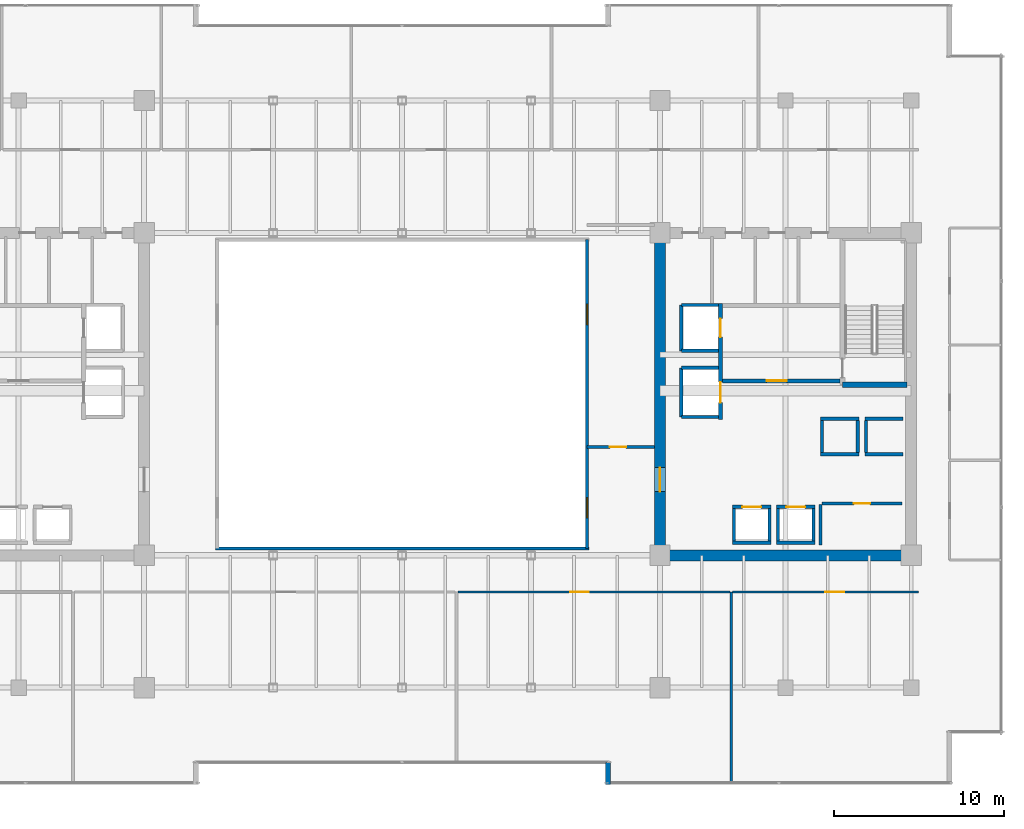
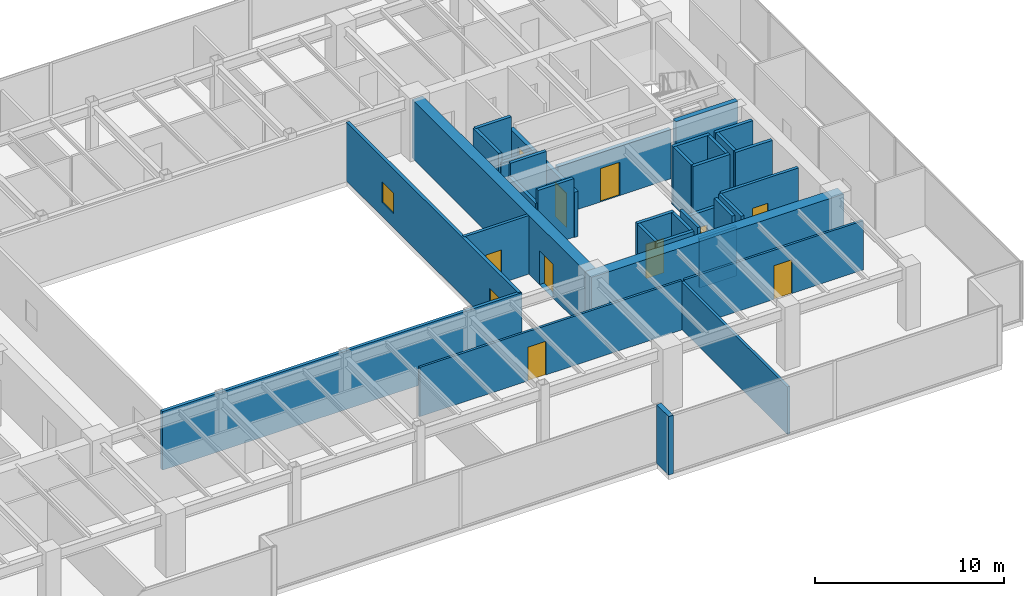
# One storey, part 26 of 30: 35 walls, 10 doors, 2 windows, 12 openings.
"""IFC4 building model written with IfcOpenShell, lengths in metres."""

from ifc_helpers import new_model, si_unit, direction, frame, frame_2d, origin, place, context, subcontext, project, spatial, rectangle, extrude, source, transform, mapped, material, layer, layer_set, type_object, type_shapes, element, fill, save


model = new_model("IFC4")

# Units and contexts
model_context = context("Model", 3, precision=1e-05, world=origin(), true_north=direction((0.0, 1.0)))
body_context = subcontext(model_context, "Body", "Model", "MODEL_VIEW")
ifc_project = project(units=[si_unit("LENGTHUNIT", "METRE"), si_unit("AREAUNIT", "SQUARE_METRE"), si_unit("VOLUMEUNIT", "CUBIC_METRE"), si_unit("PLANEANGLEUNIT", "RADIAN"), si_unit("MASSUNIT", "GRAM", prefix="KILO")], contexts=[model_context])

# Site, building, storey
site_placement = place(None, origin())
site = spatial("IfcSite", under=ifc_project, at=site_placement, CompositionType="ELEMENT")
building_placement = place(site_placement, origin())
building = spatial("IfcBuilding", under=site, at=building_placement, Name="Haelvirn Gate Laboratories", CompositionType="ELEMENT")
storey_placement = place(building_placement, frame((0.0, 0.0, 170.699951171875)))
storey = spatial("IfcBuildingStorey", under=building, at=storey_placement, Name="L41", CompositionType="ELEMENT", Elevation=170.699951171875)

# Walls
ifc_material_1 = material(Name="Thermally-broken bronze aluminium rainscreen & mineral wool", Category="aluminium")
ifc_layer_1 = layer(ifc_material_1, 0.280029296875, Name="EW-TERR-280")
ifc_layer_set_1 = layer_set([ifc_layer_1], Name="Thermally-broken bronze aluminium rainscreen & mineral wool")
wall_type_1 = type_object("IfcWallType", Name="EW-TERR-280", PredefinedType="STANDARD", material=ifc_layer_set_1)
wall_1_placement = place(storey_placement, frame((49.5400390625, 2.587890625, 0.0), z_axis=(0.0, 0.0, 1.0), x_axis=(0.0, -1.0, 0.0)))
element("IfcWall", 1, at=wall_1_placement, inside=storey, type_object=wall_type_1, Name="L41 Atrium Recess Bronze Return Wall 03", PredefinedType="STANDARD", context=body_context, shape_type="SweptSolid", body=[
    extrude(rectangle(XDim=1.287841796875, YDim=0.280029296875, at=frame_2d((0.64404296875, 0.0))), origin(), (0.0, 0.0, 1.0), 3.7900390625),
])
ifc_material_2 = material(Name="Double-layer acoustic gypsum laboratory partition", Category="gypsum")
ifc_layer_2 = layer(ifc_material_2, 0.159912109375, Name="IW-ACOUST-160")
ifc_layer_set_2 = layer_set([ifc_layer_2], Name="Double-layer acoustic gypsum laboratory partition")
wall_type_2 = type_object("IfcWallType", Name="IW-ACOUST-160", PredefinedType="PARTITIONING", material=ifc_layer_set_2)
wall_2_placement = place(storey_placement, frame((56.800048828125, 1.409912109375, 0.0), z_axis=(0.0, 0.0, 1.0), x_axis=(0.0, 1.0, 0.0)))
element("IfcWall", 2, at=wall_2_placement, inside=storey, type_object=wall_type_2, Name="L41 Interior Wall IW-L41-SDIV-03", PredefinedType="PARTITIONING", context=body_context, shape_type="SweptSolid", body=[
    extrude(rectangle(XDim=11.22998046875, YDim=0.159912109375, at=frame_2d((5.614990234375, 0.0))), origin(), (0.0, 0.0, 1.0), 3.074951171875),
])

# Wall, opening, door
ifc_material_3 = material(Name="Fire-rated acoustic gypsum board partition", Category="gypsum")
ifc_layer_3 = layer(ifc_material_3, 0.175048828125, Name="IW-ACOUST-180")
ifc_layer_set_3 = layer_set([ifc_layer_3], Name="Fire-rated acoustic gypsum board partition")
wall_type_3 = type_object("IfcWallType", Name="IW-ACOUST-180", PredefinedType="PARTITIONING", material=ifc_layer_set_3)
wall_3_placement = place(storey_placement, frame((48.300048828125, 21.179931640625, 0.0), z_axis=(0.0, 0.0, 1.0), x_axis=(1.0, 0.0, 0.0)))
wall_3 = element("IfcWall", 3, at=wall_3_placement, inside=storey, type_object=wall_type_3, Name="L41 Interior Wall IW-L41-ASEM-S", PredefinedType="PARTITIONING", context=body_context, shape_type="SweptSolid", body=[
    extrude(rectangle(XDim=3.974853515625, YDim=0.175048828125, at=frame_2d((1.9873046875, 0.0))), origin(), (0.0, 0.0, 1.0), 3.7900390625),
])
opening_1_placement = place(wall_3_placement, frame((1.35009765625, 0.0, 0.0)))
opening_1 = element("IfcOpeningElement", 4, at=opening_1_placement, cuts=wall_3, Name="Opening FD4", PredefinedType="OPENING", context=body_context, shape_type="SweptSolid", body=[
    extrude(rectangle(XDim=0.949951171875, YDim=2.14990234375, at=frame_2d((0.47509765625, 1.074951171875))), frame((0.0, 0.09765625, 0.0), z_axis=(0.0, -1.0, 0.0), x_axis=(1.0, 0.0, 0.0)), (0.0, 0.0, 1.0), 0.195068359375),
])
ifc_material_4 = material(Name="Fire-rated steel SM355 core service door", Category="steel")
door_type_1 = type_object("IfcDoorType", Name="DR-FD-950", OperationType="NOTDEFINED", PredefinedType="DOOR", material=ifc_material_4)
shared_shape_1 = source(origin(), body_context, "Body", "SweptSolid", [
    extrude(rectangle(XDim=0.949951171875, YDim=2.14990234375, at=frame_2d((0.47509765625, 1.074951171875))), frame((0.0, 0.02490234375, 0.0), z_axis=(0.0, -1.0, 0.0), x_axis=(1.0, 0.0, 0.0)), (0.0, 0.0, 1.0), 0.050048828125),
])
type_shapes(door_type_1, [shared_shape_1])
door_1_placement = place(opening_1_placement, origin())
door_1 = element("IfcDoor", 5, at=door_1_placement, inside=storey, type_object=door_type_1, Name="L41 Atrium Bioinformatics Suite Door", OperationType="SINGLE_SWING_LEFT", OverallHeight=2.14990234375, OverallWidth=0.949951171875, PredefinedType="DOOR", context=body_context, shape_type="MappedRepresentation", body=[
    mapped(shared_shape_1, transform((0.0, 0.0, 0.0), scale=1.0)),
])
fill(opening_1, door_1)

# Wall, openings, windows
ifc_material_5 = material(Name="Tempered fire-rated borosilicate glass & anodised aluminium", Category="aluminium")
ifc_layer_4 = layer(ifc_material_5, 0.195068359375, Name="IW-GLAZ-200")
ifc_layer_set_4 = layer_set([ifc_layer_4], Name="Tempered fire-rated borosilicate glass & anodised aluminium")
wall_type_4 = type_object("IfcWallType", Name="IW-GLAZ-200", PredefinedType="SOLIDWALL", material=ifc_layer_set_4)
wall_4_placement = place(storey_placement, frame((48.300048828125, 15.199951171875, 0.0), z_axis=(0.0, 0.0, 1.0), x_axis=(0.0, 1.0, 0.0)))
wall_4 = element("IfcWall", 6, at=wall_4_placement, inside=storey, type_object=wall_type_4, Name="L41 Interior Wall IW-L41-ATRIUM-E", PredefinedType="SOLIDWALL", context=body_context, shape_type="SweptSolid", body=[
    extrude(rectangle(XDim=18.199951171875, YDim=0.195068359375, at=frame_2d((9.10009765625, 0.0))), origin(), (0.0, 0.0, 1.0), 3.7900390625),
])
opening_2_placement = place(wall_4_placement, frame((1.800048828125, 0.0, 0.89990234375)))
opening_2 = element("IfcOpeningElement", 7, at=opening_2_placement, cuts=wall_4, Name="Opening W6", PredefinedType="OPENING", context=body_context, shape_type="SweptSolid", body=[
    extrude(rectangle(XDim=1.199951171875, YDim=1.35009765625, at=frame_2d((0.60009765625, 0.675048828125))), frame((0.0, 0.107421875, 0.0), z_axis=(0.0, -1.0, 0.0), x_axis=(1.0, 0.0, 0.0)), (0.0, 0.0, 1.0), 0.215087890625),
])
opening_3_placement = place(wall_4_placement, frame((13.199951171875, 0.0, 0.89990234375)))
opening_3 = element("IfcOpeningElement", 8, at=opening_3_placement, cuts=wall_4, Name="Opening W6", PredefinedType="OPENING", context=body_context, shape_type="SweptSolid", body=[
    extrude(rectangle(XDim=1.199951171875, YDim=1.35009765625, at=frame_2d((0.60009765625, 0.675048828125))), frame((0.0, 0.107421875, 0.0), z_axis=(0.0, -1.0, 0.0), x_axis=(1.0, 0.0, 0.0)), (0.0, 0.0, 1.0), 0.215087890625),
])
ifc_material_6 = material(Name="Fire-rated EI 120 borosilicate atrium vision glazing", Category="glass")
window_type = type_object("IfcWindowType", Name="WN-ATR-1200", PartitioningType="SINGLE_PANEL", PredefinedType="WINDOW", material=ifc_material_6)
shared_shape_2 = source(origin(), body_context, "Body", "SweptSolid", [
    extrude(rectangle(XDim=1.199951171875, YDim=1.35009765625, at=frame_2d((0.60009765625, 0.675048828125))), frame((0.0, 0.030029296875, 0.0), z_axis=(0.0, -1.0, 0.0), x_axis=(1.0, 0.0, 0.0)), (0.0, 0.0, 1.0), 0.06005859375),
])
type_shapes(window_type, [shared_shape_2])
window_1_placement = place(opening_2_placement, origin())
window_1 = element("IfcWindow", 9, at=window_1_placement, inside=storey, type_object=window_type, Name="L41 Atrium Observation Window 1", OverallHeight=1.35009765625, OverallWidth=1.199951171875, PartitioningType="SINGLE_PANEL", PredefinedType="WINDOW", context=body_context, shape_type="MappedRepresentation", body=[
    mapped(shared_shape_2, transform((0.0, 0.0, 0.0), scale=1.0)),
])
fill(opening_2, window_1)
window_2_placement = place(opening_3_placement, origin())
window_2 = element("IfcWindow", 10, at=window_2_placement, inside=storey, type_object=window_type, Name="L41 Atrium Observation Window 2", OverallHeight=1.35009765625, OverallWidth=1.199951171875, PartitioningType="SINGLE_PANEL", PredefinedType="WINDOW", context=body_context, shape_type="MappedRepresentation", body=[
    mapped(shared_shape_2, transform((0.0, 0.0, 0.0), scale=1.0)),
])
fill(opening_3, window_2)

# Wall
wall_5_placement = place(storey_placement, frame((26.39990234375, 15.199951171875, 0.0), z_axis=(0.0, 0.0, 1.0), x_axis=(1.0, 0.0, 0.0)))
element("IfcWall", 11, at=wall_5_placement, inside=storey, type_object=wall_type_4, Name="L41 Interior Wall IW-L41-ATRIUM-S", PredefinedType="SOLIDWALL", context=body_context, shape_type="SweptSolid", body=[
    extrude(rectangle(XDim=22.0, YDim=0.195068359375, at=frame_2d((11.0, 0.0))), origin(), (0.0, 0.0, 1.0), 3.7900390625),
])

# Wall, opening, door
ifc_material_7 = material(Name="Acoustic mineral-wool gypsum board partition", Category="gypsum")
ifc_layer_5 = layer(ifc_material_7, 0.139892578125, Name="IW-PART-140")
ifc_layer_set_5 = layer_set([ifc_layer_5], Name="Acoustic mineral-wool gypsum board partition")
wall_type_5 = type_object("IfcWallType", Name="IW-PART-140", PredefinedType="PARTITIONING", material=ifc_layer_set_5)
wall_6_placement = place(storey_placement, frame((40.679931640625, 12.639892578125, 0.0), z_axis=(0.0, 0.0, 1.0), x_axis=(1.0, 0.0, 0.0)))
wall_6 = element("IfcWall", 12, at=wall_6_placement, inside=storey, type_object=wall_type_5, Name="L41 Interior Wall IW-L41-SCORR-03", PredefinedType="PARTITIONING", context=body_context, shape_type="SweptSolid", body=[
    extrude(rectangle(XDim=16.0400390625, YDim=0.139892578125, at=frame_2d((8.02001953125, 0.0))), origin(), (0.0, 0.0, 1.0), 3.18701171875),
])
opening_4_placement = place(wall_6_placement, frame((6.615478515625, 0.0, 0.0)))
opening_4 = element("IfcOpeningElement", 13, at=opening_4_placement, cuts=wall_6, Name="Opening D1", PredefinedType="OPENING", context=body_context, shape_type="SweptSolid", body=[
    extrude(rectangle(XDim=1.10009765625, YDim=2.179931640625, at=frame_2d((0.550048828125, 1.08984375))), frame((0.0, 0.080078125, 0.0), z_axis=(0.0, -1.0, 0.0), x_axis=(1.0, 0.0, 0.0)), (0.0, 0.0, 1.0), 0.159912109375),
])
ifc_material_8 = material(Name="Vision-panel acoustic solid-core timber lab door", Category="wood")
door_type_2 = type_object("IfcDoorType", Name="DR-LAB-1100", OperationType="NOTDEFINED", PredefinedType="DOOR", material=ifc_material_8)
shared_shape_3 = source(origin(), body_context, "Body", "SweptSolid", [
    extrude(rectangle(XDim=1.10009765625, YDim=2.179931640625, at=frame_2d((0.550048828125, 1.08984375))), frame((0.0, 0.02490234375, 0.0), z_axis=(0.0, -1.0, 0.0), x_axis=(1.0, 0.0, 0.0)), (0.0, 0.0, 1.0), 0.050048828125),
])
type_shapes(door_type_2, [shared_shape_3])
door_2_placement = place(opening_4_placement, origin())
door_2 = element("IfcDoor", 14, at=door_2_placement, inside=storey, type_object=door_type_2, Name="L41 Bioinformatics Dry-Lab Workspace Door S3", OperationType="SINGLE_SWING_RIGHT", OverallHeight=2.179931640625, OverallWidth=1.10009765625, PredefinedType="DOOR", context=body_context, shape_type="MappedRepresentation", body=[
    mapped(shared_shape_3, transform((0.0, 0.0, 0.0), scale=1.0)),
])
fill(opening_4, door_2)

wall_7_placement = place(storey_placement, frame((56.8798828125, 12.639892578125, 0.0), z_axis=(0.0, 0.0, 1.0), x_axis=(1.0, 0.0, 0.0)))
wall_7 = element("IfcWall", 15, at=wall_7_placement, inside=storey, type_object=wall_type_5, Name="L41 Interior Wall IW-L41-SCORR-04", PredefinedType="PARTITIONING", context=body_context, shape_type="SweptSolid", body=[
    extrude(rectangle(XDim=10.940185546875, YDim=0.139892578125, at=frame_2d((5.47021484375, 0.0))), origin(), (0.0, 0.0, 1.0), 3.18701171875),
])
opening_5_placement = place(wall_7_placement, frame((5.468505859375, 0.0, 0.0)))
opening_5 = element("IfcOpeningElement", 16, at=opening_5_placement, cuts=wall_7, Name="Opening D1", PredefinedType="OPENING", context=body_context, shape_type="SweptSolid", body=[
    extrude(rectangle(XDim=1.10009765625, YDim=2.179931640625, at=frame_2d((0.550048828125, 1.08984375))), frame((0.0, 0.080078125, 0.0), z_axis=(0.0, -1.0, 0.0), x_axis=(1.0, 0.0, 0.0)), (0.0, 0.0, 1.0), 0.159912109375),
])
door_3_placement = place(opening_5_placement, origin())
door_3 = element("IfcDoor", 17, at=door_3_placement, inside=storey, type_object=door_type_2, Name="L41 Translational Data Office Door S4", OperationType="SINGLE_SWING_LEFT", OverallHeight=2.179931640625, OverallWidth=1.10009765625, PredefinedType="DOOR", context=body_context, shape_type="MappedRepresentation", body=[
    mapped(shared_shape_3, transform((0.0, 0.0, 0.0), scale=1.0)),
])
fill(opening_5, door_3)

# Walls
ifc_material_9 = material(Name="Concrete C40/50", Category="concrete")
ifc_layer_6 = layer(ifc_material_9, 0.179931640625, Name="IW-SHAFT-180")
ifc_layer_set_6 = layer_set([ifc_layer_6], Name="Concrete C40/50")
wall_type_6 = type_object("IfcWallType", Name="IW-SHAFT-180", PredefinedType="SOLIDWALL", material=ifc_layer_set_6)
for number, where, z_axis, x_axis, name in (
    (18, (59.550048828125, 15.64990234375, 0.0), (0.0, 0.0, 1.0), (0.0, 1.0, 0.0), "L41 Interior Wall IW-L41-PL7-SD"),
    (19, (61.64990234375, 15.64990234375, 0.0), (0.0, 0.0, 1.0), (0.0, 1.0, 0.0), "L41 Interior Wall IW-L41-PL7-SDE"),
    (20, (56.949951171875, 15.64990234375, 0.0), (0.0, 0.0, 1.0), (0.0, 1.0, 0.0), "L41 Interior Wall IW-L41-PL8-SD"),
    (21, (59.050048828125, 15.64990234375, 0.0), (0.0, 0.0, 1.0), (0.0, 1.0, 0.0), "L41 Interior Wall IW-L41-PL8-SDE"),
):
    element("IfcWall", number, at=place(storey_placement, frame(where, z_axis=z_axis, x_axis=x_axis)), inside=storey, type_object=wall_type_6, Name=name, PredefinedType="SOLIDWALL", context=body_context, shape_type="SweptSolid", body=[
        extrude(rectangle(XDim=1.900146484375, YDim=0.179931640625, at=frame_2d((0.9501953125, 0.0))), origin(), (0.0, 0.0, 1.0), 3.7900390625),
    ])
for number, where, z_axis, x_axis, name in (
    (22, (64.75, 20.85009765625, 0.0), (0.0, 0.0, 1.0), (0.0, 1.0, 0.0), "L41 Interior Wall IW-L41-PL11-SD"),
    (23, (62.14990234375, 20.85009765625, 0.0), (0.0, 0.0, 1.0), (0.0, 1.0, 0.0), "L41 Interior Wall IW-L41-PL12-SD"),
    (24, (64.25, 20.85009765625, 0.0), (0.0, 0.0, 1.0), (0.0, 1.0, 0.0), "L41 Interior Wall IW-L41-PL12-SDE"),
):
    element("IfcWall", number, at=place(storey_placement, frame(where, z_axis=z_axis, x_axis=x_axis)), inside=storey, type_object=wall_type_6, Name=name, PredefinedType="SOLIDWALL", context=body_context, shape_type="SweptSolid", body=[
        extrude(rectangle(XDim=1.89990234375, YDim=0.179931640625, at=frame_2d((0.949951171875, 0.0))), origin(), (0.0, 0.0, 1.0), 3.7900390625),
    ])

# Wall, opening, door
wall_8_placement = place(storey_placement, frame((62.14990234375, 17.85009765625, 0.0), z_axis=(0.0, 0.0, 1.0), x_axis=(1.0, 0.0, 0.0)))
wall_8 = element("IfcWall", 25, at=wall_8_placement, inside=storey, type_object=wall_type_6, Name="L41 Interior Wall IW-L41-E-FREED-LN-1", PredefinedType="SOLIDWALL", context=body_context, shape_type="SweptSolid", body=[
    extrude(rectangle(XDim=4.7001953125, YDim=0.179931640625, at=frame_2d((2.35009765625, 0.0))), origin(), (0.0, 0.0, 1.0), 3.7900390625),
])
opening_6_placement = place(wall_8_placement, frame((1.875, 0.0, 0.0)))
opening_6 = element("IfcOpeningElement", 26, at=opening_6_placement, cuts=wall_8, Name="Opening FD4", PredefinedType="OPENING", context=body_context, shape_type="SweptSolid", body=[
    extrude(rectangle(XDim=0.949951171875, YDim=2.14990234375, at=frame_2d((0.47509765625, 1.074951171875))), frame((0.0, 0.10009765625, 0.0), z_axis=(0.0, -1.0, 0.0), x_axis=(1.0, 0.0, 0.0)), (0.0, 0.0, 1.0), 0.199951171875),
])
door_4_placement = place(opening_6_placement, origin())
door_4 = element("IfcDoor", 27, at=door_4_placement, inside=storey, type_object=door_type_1, Name="L41 Autoclave & Glasswash Room Door", OperationType="SINGLE_SWING_LEFT", OverallHeight=2.14990234375, OverallWidth=0.949951171875, PredefinedType="DOOR", context=body_context, shape_type="MappedRepresentation", body=[
    mapped(shared_shape_1, transform((0.0, 0.0, 0.0), scale=1.0)),
])
fill(opening_6, door_4)

# Wall
wall_9_placement = place(storey_placement, frame((62.06005859375, 15.39990234375, 0.0), z_axis=(0.0, 0.0, 1.0), x_axis=(0.0, 1.0, 0.0)))
element("IfcWall", 28, at=wall_9_placement, inside=storey, type_object=wall_type_6, Name="L41 Interior Wall IW-L41-E-FREED-LE-1", PredefinedType="SOLIDWALL", context=body_context, shape_type="SweptSolid", body=[
    extrude(rectangle(XDim=2.400146484375, YDim=0.179931640625, at=frame_2d((1.2001953125, 0.0))), origin(), (0.0, 0.0, 1.0), 3.7900390625),
])

# Wall, opening, door
ifc_layer_7 = layer(ifc_material_9, 0.199951171875, Name="IW-SHAFT-200")
ifc_layer_set_7 = layer_set([ifc_layer_7], Name="Concrete C40/50")
wall_type_7 = type_object("IfcWallType", Name="IW-SHAFT-200", PredefinedType="SOLIDWALL", material=ifc_layer_set_7)
wall_10_placement = place(storey_placement, frame((59.469970703125, 17.64990234375, 0.0), z_axis=(0.0, 0.0, 1.0), x_axis=(1.0, 0.0, 0.0)))
wall_10 = element("IfcWall", 29, at=wall_10_placement, inside=storey, type_object=wall_type_7, Name="L41 Interior Wall IW-L41-PL7-FR", PredefinedType="SOLIDWALL", context=body_context, shape_type="SweptSolid", body=[
    extrude(rectangle(XDim=2.260009765625, YDim=0.199951171875, at=frame_2d((1.1298828125, 0.0))), origin(), (0.0, 0.0, 1.0), 3.18701171875),
])
opening_7_placement = place(wall_10_placement, frame((0.580078125, 0.0, 0.0)))
opening_7 = element("IfcOpeningElement", 30, at=opening_7_placement, cuts=wall_10, Name="Opening LD2", PredefinedType="OPENING", context=body_context, shape_type="SweptSolid", body=[
    extrude(rectangle(XDim=1.10009765625, YDim=2.219970703125, at=frame_2d((0.550048828125, 1.10986328125))), frame((0.0, 0.10986328125, 0.0), z_axis=(0.0, -1.0, 0.0), x_axis=(1.0, 0.0, 0.0)), (0.0, 0.0, 1.0), 0.219970703125),
])
ifc_material_10 = material(Name="Bronze stainless 316L sliding lift landing door")
door_type_3 = type_object("IfcDoorType", Name="DR-LD-1100", OperationType="NOTDEFINED", PredefinedType="USERDEFINED", material=ifc_material_10)
shared_shape_4 = source(origin(), body_context, "Body", "SweptSolid", [
    extrude(rectangle(XDim=1.10009765625, YDim=2.219970703125, at=frame_2d((0.550048828125, 1.10986328125))), frame((0.0, 0.02490234375, 0.0), z_axis=(0.0, -1.0, 0.0), x_axis=(1.0, 0.0, 0.0)), (0.0, 0.0, 1.0), 0.050048828125),
])
type_shapes(door_type_3, [shared_shape_4])
door_5_placement = place(opening_7_placement, origin())
door_5 = element("IfcDoor", 31, at=door_5_placement, inside=storey, type_object=door_type_3, Name="L41 Passenger Lift PL7 Landing Door", ObjectType="LANDING_DOOR", OperationType="SLIDING_TO_LEFT", OverallHeight=2.219970703125, OverallWidth=1.10009765625, PredefinedType="USERDEFINED", context=body_context, shape_type="MappedRepresentation", body=[
    mapped(shared_shape_4, transform((0.0, 0.0, 0.0), scale=1.0)),
])
fill(opening_7, door_5)

# Wall
wall_11_placement = place(storey_placement, frame((59.469970703125, 15.550048828125, 0.0), z_axis=(0.0, 0.0, 1.0), x_axis=(1.0, 0.0, 0.0)))
element("IfcWall", 32, at=wall_11_placement, inside=storey, type_object=wall_type_7, Name="L41 Interior Wall IW-L41-PL7-BK", PredefinedType="SOLIDWALL", context=body_context, shape_type="SweptSolid", body=[
    extrude(rectangle(XDim=2.260009765625, YDim=0.199951171875, at=frame_2d((1.1298828125, 0.0))), origin(), (0.0, 0.0, 1.0), 3.18701171875),
])

# Wall, opening, door
wall_12_placement = place(storey_placement, frame((56.8701171875, 17.64990234375, 0.0), z_axis=(0.0, 0.0, 1.0), x_axis=(1.0, 0.0, 0.0)))
wall_12 = element("IfcWall", 33, at=wall_12_placement, inside=storey, type_object=wall_type_7, Name="L41 Interior Wall IW-L41-PL8-FR", PredefinedType="SOLIDWALL", context=body_context, shape_type="SweptSolid", body=[
    extrude(rectangle(XDim=2.259765625, YDim=0.199951171875, at=frame_2d((1.1298828125, 0.0))), origin(), (0.0, 0.0, 1.0), 3.7900390625),
])
opening_8_placement = place(wall_12_placement, frame((0.580078125, 0.0, 0.0)))
opening_8 = element("IfcOpeningElement", 34, at=opening_8_placement, cuts=wall_12, Name="Opening LD2", PredefinedType="OPENING", context=body_context, shape_type="SweptSolid", body=[
    extrude(rectangle(XDim=1.10009765625, YDim=2.219970703125, at=frame_2d((0.550048828125, 1.10986328125))), frame((0.0, 0.10986328125, 0.0), z_axis=(0.0, -1.0, 0.0), x_axis=(1.0, 0.0, 0.0)), (0.0, 0.0, 1.0), 0.219970703125),
])
door_6_placement = place(opening_8_placement, origin())
door_6 = element("IfcDoor", 35, at=door_6_placement, inside=storey, type_object=door_type_3, Name="L41 Passenger Lift PL8 Landing Door", ObjectType="LANDING_DOOR", OperationType="SLIDING_TO_RIGHT", OverallHeight=2.219970703125, OverallWidth=1.10009765625, PredefinedType="USERDEFINED", context=body_context, shape_type="MappedRepresentation", body=[
    mapped(shared_shape_4, transform((0.0, 0.0, 0.0), scale=1.0)),
])
fill(opening_8, door_6)

# Walls
wall_13_placement = place(storey_placement, frame((56.8701171875, 15.550048828125, 0.0), z_axis=(0.0, 0.0, 1.0), x_axis=(1.0, 0.0, 0.0)))
element("IfcWall", 36, at=wall_13_placement, inside=storey, type_object=wall_type_7, Name="L41 Interior Wall IW-L41-PL8-BK", PredefinedType="SOLIDWALL", context=body_context, shape_type="SweptSolid", body=[
    extrude(rectangle(XDim=2.259765625, YDim=0.199951171875, at=frame_2d((1.1298828125, 0.0))), origin(), (0.0, 0.0, 1.0), 3.7900390625),
])
for number, where, z_axis, x_axis, name in (
    (37, (64.669921875, 20.75, 0.0), (0.0, 0.0, 1.0), (1.0, 0.0, 0.0), "L41 Interior Wall IW-L41-PL11-FR"),
    (38, (64.669921875, 22.85009765625, 0.0), (0.0, 0.0, 1.0), (1.0, 0.0, 0.0), "L41 Interior Wall IW-L41-PL11-BK"),
    (39, (62.070068359375, 20.75, 0.0), (0.0, 0.0, 1.0), (1.0, 0.0, 0.0), "L41 Interior Wall IW-L41-PL12-FR"),
    (40, (62.070068359375, 22.85009765625, 0.0), (0.0, 0.0, 1.0), (1.0, 0.0, 0.0), "L41 Interior Wall IW-L41-PL12-BK"),
):
    element("IfcWall", number, at=place(storey_placement, frame(where, z_axis=z_axis, x_axis=x_axis)), inside=storey, type_object=wall_type_7, Name=name, PredefinedType="SOLIDWALL", context=body_context, shape_type="SweptSolid", body=[
        extrude(rectangle(XDim=2.260009765625, YDim=0.199951171875, at=frame_2d((1.1298828125, 0.0))), origin(), (0.0, 0.0, 1.0), 3.7900390625),
    ])
wall_14_placement = place(storey_placement, frame((53.85009765625, 26.85009765625, 0.0), z_axis=(0.0, 0.0, 1.0), x_axis=(0.0, 1.0, 0.0)))
element("IfcWall", 41, at=wall_14_placement, inside=storey, type_object=wall_type_7, Name="L41 Interior Wall IW-L41-FL2-BK", PredefinedType="SOLIDWALL", context=body_context, shape_type="SweptSolid", body=[
    extrude(rectangle(XDim=2.699951171875, YDim=0.199951171875, at=frame_2d((1.35009765625, 0.0))), origin(), (0.0, 0.0, 1.0), 3.7900390625),
])
wall_15_placement = place(storey_placement, frame((53.85009765625, 29.550048828125, 0.0), z_axis=(0.0, 0.0, 1.0), x_axis=(1.0, 0.0, 0.0)))
element("IfcWall", 42, at=wall_15_placement, inside=storey, type_object=wall_type_7, Name="L41 Interior Wall IW-L41-FL2-N", PredefinedType="SOLIDWALL", context=body_context, shape_type="SweptSolid", body=[
    extrude(rectangle(XDim=2.18994140625, YDim=0.199951171875, at=frame_2d((1.094970703125, 0.0))), origin(), (0.0, 0.0, 1.0), 3.7900390625),
])
wall_16_placement = place(storey_placement, frame((53.85009765625, 26.85009765625, 0.0), z_axis=(0.0, 0.0, 1.0), x_axis=(1.0, 0.0, 0.0)))
element("IfcWall", 43, at=wall_16_placement, inside=storey, type_object=wall_type_7, Name="L41 Interior Wall IW-L41-FL2-S", PredefinedType="SOLIDWALL", context=body_context, shape_type="SweptSolid", body=[
    extrude(rectangle(XDim=2.18994140625, YDim=0.199951171875, at=frame_2d((1.094970703125, 0.0))), origin(), (0.0, 0.0, 1.0), 3.18701171875),
])
wall_17_placement = place(storey_placement, frame((53.85009765625, 22.949951171875, 0.0), z_axis=(0.0, 0.0, 1.0), x_axis=(0.0, 1.0, 0.0)))
element("IfcWall", 44, at=wall_17_placement, inside=storey, type_object=wall_type_7, Name="L41 Interior Wall IW-L41-SL2-BK", PredefinedType="SOLIDWALL", context=body_context, shape_type="SweptSolid", body=[
    extrude(rectangle(XDim=2.900146484375, YDim=0.199951171875, at=frame_2d((1.4501953125, 0.0))), origin(), (0.0, 0.0, 1.0), 2.925048828125),
])
for number, where, z_axis, x_axis, name in (
    (45, (53.85009765625, 25.85009765625, 0.0), (0.0, 0.0, 1.0), (1.0, 0.0, 0.0), "L41 Interior Wall IW-L41-SL2-N"),
    (46, (53.85009765625, 22.949951171875, 0.0), (0.0, 0.0, 1.0), (1.0, 0.0, 0.0), "L41 Interior Wall IW-L41-SL2-S"),
):
    element("IfcWall", number, at=place(storey_placement, frame(where, z_axis=z_axis, x_axis=x_axis)), inside=storey, type_object=wall_type_7, Name=name, PredefinedType="SOLIDWALL", context=body_context, shape_type="SweptSolid", body=[
        extrude(rectangle(XDim=2.18994140625, YDim=0.199951171875, at=frame_2d((1.094970703125, 0.0))), origin(), (0.0, 0.0, 1.0), 3.7900390625),
    ])

# Wall, opening, door
ifc_layer_8 = layer(ifc_material_9, 0.239990234375, Name="IW-SHAFT-240")
ifc_layer_set_8 = layer_set([ifc_layer_8], Name="Concrete C40/50")
wall_type_8 = type_object("IfcWallType", Name="IW-SHAFT-240", PredefinedType="SOLIDWALL", material=ifc_layer_set_8)
wall_18_placement = place(storey_placement, frame((56.280029296875, 25.080078125, 0.0), z_axis=(0.0, 0.0, 1.0), x_axis=(1.0, 0.0, 0.0)))
wall_18 = element("IfcWall", 47, at=wall_18_placement, inside=storey, type_object=wall_type_8, Name="L41 Interior Wall IW-L41-E-FF-S", PredefinedType="SOLIDWALL", context=body_context, shape_type="SweptSolid", body=[
    extrude(rectangle(XDim=6.919921875, YDim=0.239990234375, at=frame_2d((3.4599609375, 0.0))), origin(), (0.0, 0.0, 1.0), 3.18701171875),
])
opening_9_placement = place(wall_18_placement, frame((2.60009765625, 0.0, 0.0)))
opening_9 = element("IfcOpeningElement", 48, at=opening_9_placement, cuts=wall_18, Name="Opening FD2", PredefinedType="OPENING", context=body_context, shape_type="SweptSolid", body=[
    extrude(rectangle(XDim=1.199951171875, YDim=2.159912109375, at=frame_2d((0.60009765625, 1.080078125))), frame((0.0, 0.1298828125, 0.0), z_axis=(0.0, -1.0, 0.0), x_axis=(1.0, 0.0, 0.0)), (0.0, 0.0, 1.0), 0.260009765625),
])
ifc_material_11 = material(Name="Fire-rated steel SM355 compartment door", Category="steel")
door_type_4 = type_object("IfcDoorType", Name="DR-FD-1200", OperationType="NOTDEFINED", PredefinedType="DOOR", material=ifc_material_11)
shared_shape_5 = source(origin(), body_context, "Body", "SweptSolid", [
    extrude(rectangle(XDim=1.199951171875, YDim=2.159912109375, at=frame_2d((0.60009765625, 1.080078125))), frame((0.0, 0.02490234375, 0.0), z_axis=(0.0, -1.0, 0.0), x_axis=(1.0, 0.0, 0.0)), (0.0, 0.0, 1.0), 0.050048828125),
])
type_shapes(door_type_4, [shared_shape_5])
door_7_placement = place(opening_9_placement, origin())
door_7 = element("IfcDoor", 49, at=door_7_placement, inside=storey, type_object=door_type_4, Name="L41 East Firefighting Lobby Door", OperationType="SINGLE_SWING_LEFT", OverallHeight=2.159912109375, OverallWidth=1.199951171875, PredefinedType="DOOR", context=body_context, shape_type="MappedRepresentation", body=[
    mapped(shared_shape_5, transform((0.0, 0.0, 0.0), scale=1.0)),
])
fill(opening_9, door_7)

# Wall, openings, doors
wall_19_placement = place(storey_placement, frame((56.159912109375, 22.800048828125, 0.0), z_axis=(0.0, 0.0, 1.0), x_axis=(0.0, 1.0, 0.0)))
wall_19 = element("IfcWall", 50, at=wall_19_placement, inside=storey, type_object=wall_type_8, Name="L41 Interior Wall IW-L41-E-FF-E", PredefinedType="SOLIDWALL", context=body_context, shape_type="SweptSolid", body=[
    extrude(rectangle(XDim=6.849853515625, YDim=0.239990234375, at=frame_2d((3.4248046875, 0.0))), origin(), (0.0, 0.0, 1.0), 2.925048828125),
])
opening_10_placement = place(wall_19_placement, frame((4.85009765625, 0.0, 0.0)))
opening_10 = element("IfcOpeningElement", 51, at=opening_10_placement, cuts=wall_19, Name="Opening LD2", PredefinedType="OPENING", context=body_context, shape_type="SweptSolid", body=[
    extrude(rectangle(XDim=1.10009765625, YDim=2.219970703125, at=frame_2d((0.550048828125, 1.10986328125))), frame((0.0, 0.1298828125, 0.0), z_axis=(0.0, -1.0, 0.0), x_axis=(1.0, 0.0, 0.0)), (0.0, 0.0, 1.0), 0.260009765625),
])
opening_11_placement = place(wall_19_placement, frame((1.0, 0.0, 0.0)))
opening_11 = element("IfcOpeningElement", 52, at=opening_11_placement, cuts=wall_19, Name="Opening LD1", PredefinedType="OPENING", context=body_context, shape_type="SweptSolid", body=[
    extrude(rectangle(XDim=1.199951171875, YDim=2.219970703125, at=frame_2d((0.60009765625, 1.10986328125))), frame((0.0, 0.1298828125, 0.0), z_axis=(0.0, -1.0, 0.0), x_axis=(1.0, 0.0, 0.0)), (0.0, 0.0, 1.0), 0.260009765625),
])
door_8_placement = place(opening_10_placement, origin())
door_8 = element("IfcDoor", 53, at=door_8_placement, inside=storey, type_object=door_type_3, Name="L41 Firefighting Lift FL2 Landing Door", ObjectType="LANDING_DOOR", OperationType="SLIDING_TO_RIGHT", OverallHeight=2.219970703125, OverallWidth=1.10009765625, PredefinedType="USERDEFINED", context=body_context, shape_type="MappedRepresentation", body=[
    mapped(shared_shape_4, transform((0.0, 0.0, 0.0), scale=1.0)),
])
fill(opening_10, door_8)
ifc_material_12 = material(Name="Stainless steel 316L sliding goods landing door", Category="steel")
door_type_5 = type_object("IfcDoorType", Name="DR-LD-1200", OperationType="NOTDEFINED", PredefinedType="USERDEFINED", material=ifc_material_12)
shared_shape_6 = source(origin(), body_context, "Body", "SweptSolid", [
    extrude(rectangle(XDim=1.199951171875, YDim=2.219970703125, at=frame_2d((0.60009765625, 1.10986328125))), frame((0.0, 0.02490234375, 0.0), z_axis=(0.0, -1.0, 0.0), x_axis=(1.0, 0.0, 0.0)), (0.0, 0.0, 1.0), 0.050048828125),
])
type_shapes(door_type_5, [shared_shape_6])
door_9_placement = place(opening_11_placement, origin())
door_9 = element("IfcDoor", 54, at=door_9_placement, inside=storey, type_object=door_type_5, Name="L41 Service Lift SL2 Landing Door", ObjectType="LANDING_DOOR", OperationType="SLIDING_TO_LEFT", OverallHeight=2.219970703125, OverallWidth=1.199951171875, PredefinedType="USERDEFINED", context=body_context, shape_type="MappedRepresentation", body=[
    mapped(shared_shape_6, transform((0.0, 0.0, 0.0), scale=1.0)),
])
fill(opening_11, door_9)

# Wall
ifc_material_13 = material(Name="Concrete C60/75", Category="concrete")
ifc_layer_9 = layer(ifc_material_13, 0.64990234375, Name="SW-CORE-650")
ifc_layer_set_9 = layer_set([ifc_layer_9], Name="Concrete C60/75")
wall_type_9 = type_object("IfcWallType", Name="SW-CORE-650", PredefinedType="SHEAR", material=ifc_layer_set_9)
wall_20_placement = place(storey_placement, frame((52.27490234375, 14.800048828125, 0.0), z_axis=(0.0, 0.0, 1.0), x_axis=(1.0, 0.0, 0.0)))
element("IfcWall", 55, at=wall_20_placement, inside=storey, type_object=wall_type_9, Name="L41 E Core Shear Wall S", PredefinedType="SHEAR", context=body_context, shape_type="SweptSolid", body=[
    extrude(rectangle(XDim=15.4501953125, YDim=0.64990234375, at=frame_2d((7.72509765625, 0.0))), origin(), (0.0, 0.0, 1.0), 3.7900390625),
])

# Wall, opening, door
wall_21_placement = place(storey_placement, frame((52.60009765625, 15.125, 0.0), z_axis=(0.0, 0.0, 1.0), x_axis=(0.0, 1.0, 0.0)))
wall_21 = element("IfcWall", 56, at=wall_21_placement, inside=storey, type_object=wall_type_9, Name="L41 E Core Shear Wall W", PredefinedType="SHEAR", context=body_context, shape_type="SweptSolid", body=[
    extrude(rectangle(XDim=18.35009765625, YDim=0.64990234375, at=frame_2d((9.175048828125, 0.0))), origin(), (0.0, 0.0, 1.0), 3.7900390625),
])
opening_12_placement = place(wall_21_placement, frame((3.425048828125, 0.0, 0.0)))
opening_12 = element("IfcOpeningElement", 57, at=opening_12_placement, cuts=wall_21, Name="Opening FD1", PredefinedType="OPENING", context=body_context, shape_type="SweptSolid", body=[
    extrude(rectangle(XDim=1.419921875, YDim=2.199951171875, at=frame_2d((0.7099609375, 1.10009765625))), frame((0.0, 0.3349609375, 0.0), z_axis=(0.0, -1.0, 0.0), x_axis=(1.0, 0.0, 0.0)), (0.0, 0.0, 1.0), 0.669921875),
])
ifc_material_14 = material(Name="Fire-rated double steel SM355 lobby door", Category="steel")
door_type_6 = type_object("IfcDoorType", Name="DR-FD-1400", OperationType="NOTDEFINED", PredefinedType="DOOR", material=ifc_material_14)
shared_shape_7 = source(origin(), body_context, "Body", "SweptSolid", [
    extrude(rectangle(XDim=1.419921875, YDim=2.199951171875, at=frame_2d((0.7099609375, 1.10009765625))), frame((0.0, 0.02490234375, 0.0), z_axis=(0.0, -1.0, 0.0), x_axis=(1.0, 0.0, 0.0)), (0.0, 0.0, 1.0), 0.050048828125),
])
type_shapes(door_type_6, [shared_shape_7])
door_10_placement = place(opening_12_placement, origin())
door_10 = element("IfcDoor", 58, at=door_10_placement, inside=storey, type_object=door_type_6, Name="L41 East Core Lift Lobby Fire Door", OperationType="DOUBLE_DOOR_SINGLE_SWING", OverallHeight=2.199951171875, OverallWidth=1.419921875, PredefinedType="DOOR", context=body_context, shape_type="MappedRepresentation", body=[
    mapped(shared_shape_7, transform((0.0, 0.0, 0.0), scale=1.0)),
])
fill(opening_12, door_10)

# Wall
ifc_material_15 = material(Name="Concrete C50/60", Category="concrete")
ifc_layer_10 = layer(ifc_material_15, 0.300048828125, Name="SW-STAIR-300")
ifc_layer_set_10 = layer_set([ifc_layer_10], Name="Concrete C50/60")
wall_type_10 = type_object("IfcWallType", Name="SW-STAIR-300", PredefinedType="SHEAR", material=ifc_layer_set_10)
wall_22_placement = place(storey_placement, frame((63.35009765625, 24.85009765625, 0.0), z_axis=(0.0, 0.0, 1.0), x_axis=(1.0, 0.0, 0.0)))
element("IfcWall", 59, at=wall_22_placement, inside=storey, type_object=wall_type_10, Name="L41 E Core Stair Shaft Structural Wall S", PredefinedType="SHEAR", context=body_context, shape_type="SweptSolid", body=[
    extrude(rectangle(XDim=3.7998046875, YDim=0.300048828125, at=frame_2d((1.89990234375, 0.0))), origin(), (0.0, 0.0, 1.0), 3.7900390625),
])

save(model, "model.ifc")
